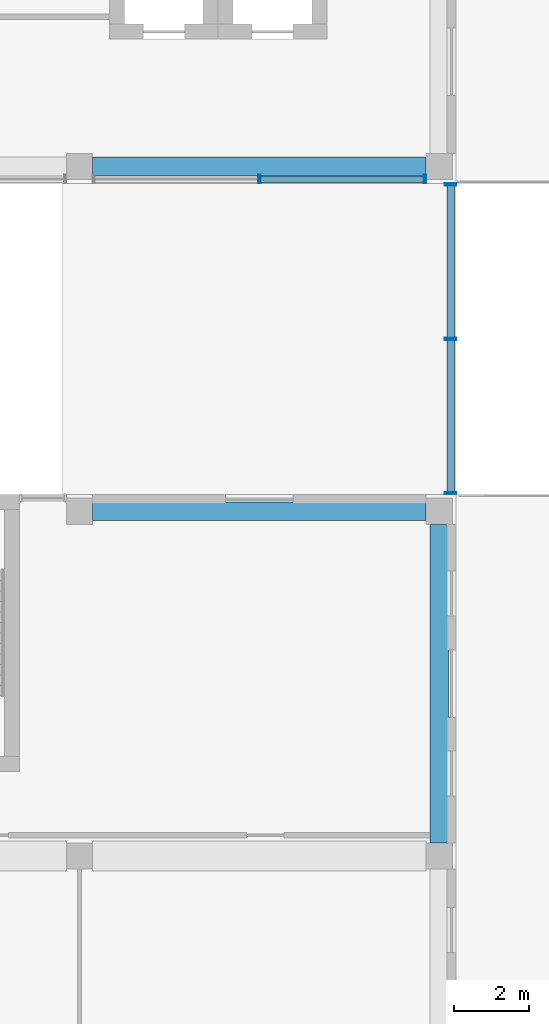
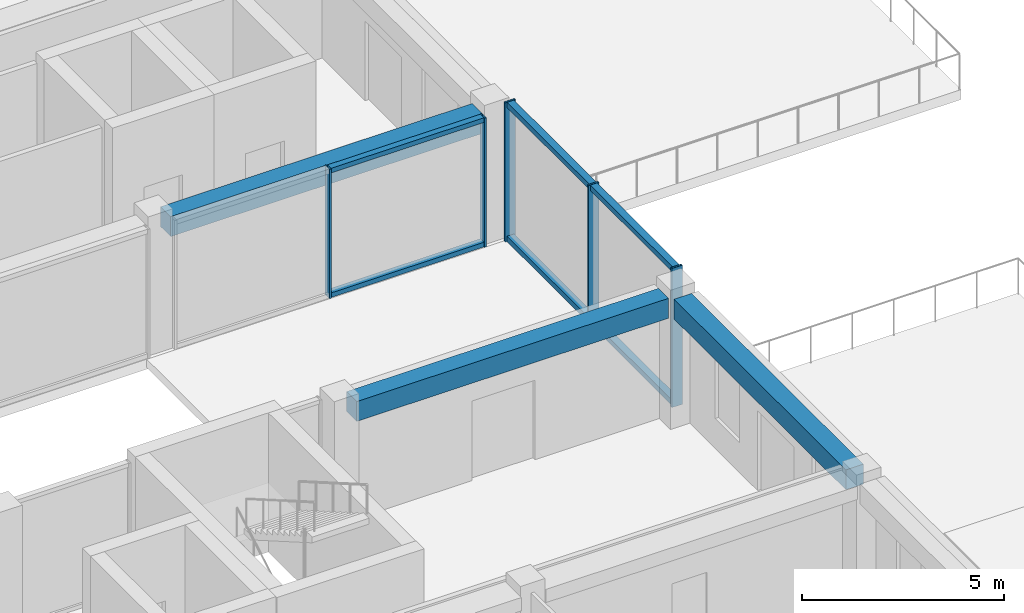
# One storey, part 12 of 27: 11 members, 3 beams, 2 elements without a shape of their own.
"""IFC4 building model written with IfcOpenShell, lengths in metres."""

from ifc_helpers import new_model, si_unit, direction, frame, origin, origin_2d, place, context, subcontext, project, spatial, rectangle, hollow_rectangle, extrude, material, layer, layer_set, material_profile, profile_set, type_object, element, aggregate, save


model = new_model("IFC4")

# Units and contexts
model_context = context("Model", 3, precision=1e-05, world=origin(), true_north=direction((0.0, 1.0)))
body_context = subcontext(model_context, "Body", "Model", "MODEL_VIEW")
ifc_project = project(units=[si_unit("LENGTHUNIT", "METRE"), si_unit("AREAUNIT", "SQUARE_METRE"), si_unit("VOLUMEUNIT", "CUBIC_METRE"), si_unit("PLANEANGLEUNIT", "RADIAN"), si_unit("MASSUNIT", "GRAM", prefix="KILO")], contexts=[model_context])

# Site, building, storey
site_placement = place(None, origin())
site = spatial("IfcSite", under=ifc_project, at=site_placement, CompositionType="ELEMENT")
building_placement = place(site_placement, origin())
building = spatial("IfcBuilding", under=site, at=building_placement, Name="Nzadi Deep Aquarium and Research Tower", CompositionType="ELEMENT")
storey_placement = place(building_placement, frame((0.0, 0.0, 69.699951171875)))
storey = spatial("IfcBuildingStorey", under=building, at=storey_placement, Name="L14", CompositionType="ELEMENT", Elevation=69.699951171875)

# Curtain wall, members
ifc_material_1 = material(Name="Aluminium unitised frame deep", Category="aluminium")
ifc_layer_1 = layer(ifc_material_1, 0.22509765625)
ifc_layer_set_1 = layer_set([ifc_layer_1], Name="Aluminium unitised frame deep")
curtain_wall_type_1 = type_object("IfcCurtainWallType", Name="Curtain wall Unitised Deep 225", PredefinedType="NOTDEFINED", material=ifc_layer_set_1)
curtain_wall_1_placement = place(storey_placement, origin())
curtain_wall_1 = element("IfcCurtainWall", 1, at=curtain_wall_1_placement, inside=storey, type_object=curtain_wall_type_1, Name="Unitised curtain wall blade B south L14", PredefinedType="NOTDEFINED")
ifc_material_2 = material(Name="Aluminium unitised frame deep", Category="aluminium")
ifc_material_profile_1 = material_profile(ifc_material_2, hollow_rectangle(XDim=0.22509765625, YDim=0.06005859375, WallThickness=0.0048828125, at=origin_2d()))
ifc_profile_set_1 = profile_set([ifc_material_profile_1], Name="Aluminium unitised frame deep")
member_type_1 = type_object("IfcMemberType", Name="Mullion 60x225 Unitised Deep", PredefinedType="MULLION", material=ifc_profile_set_1)
member_1_placement = place(storey_placement, frame((33.60009765625, 27.262451171875, 0.0), z_axis=(0.0, 0.0, 1.0), x_axis=(0.0, 1.0, 0.0)))
member_1 = element("IfcMember", 2, at=member_1_placement, type_object=member_type_1, Name="CW179 mullion 2", PredefinedType="MULLION", context=body_context, shape_type="SweptSolid", body=[
    extrude(hollow_rectangle(XDim=0.22509765625, YDim=0.06005859375, WallThickness=0.0048828125, at=origin_2d()), origin(), (0.0, 0.0, 1.0), 3.900146484375),
])
member_2_placement = place(storey_placement, frame((38.02001953125, 27.262451171875, 0.0), z_axis=(0.0, 0.0, 1.0), x_axis=(0.0, 1.0, 0.0)))
member_2 = element("IfcMember", 3, at=member_2_placement, type_object=member_type_1, Name="CW179 mullion 3", PredefinedType="MULLION", context=body_context, shape_type="SweptSolid", body=[
    extrude(hollow_rectangle(XDim=0.22509765625, YDim=0.06005859375, WallThickness=0.0048828125, at=origin_2d()), origin(), (0.0, 0.0, 1.0), 3.900146484375),
])

ifc_material_3 = material(Name="Aluminium unitised frame wind post", Category="aluminium")
ifc_layer_2 = layer(ifc_material_3, 0.300048828125)
ifc_layer_set_2 = layer_set([ifc_layer_2], Name="Aluminium unitised frame wind post")
curtain_wall_type_2 = type_object("IfcCurtainWallType", Name="Curtain wall Slot End 300", PredefinedType="NOTDEFINED", material=ifc_layer_set_2)
curtain_wall_2_placement = place(storey_placement, origin())
curtain_wall_2 = element("IfcCurtainWall", 4, at=curtain_wall_2_placement, inside=storey, type_object=curtain_wall_type_2, Name="Glazed slot end east L14", PredefinedType="NOTDEFINED")
ifc_material_4 = material(Name="Aluminium unitised frame wind post", Category="aluminium")
ifc_material_profile_2 = material_profile(ifc_material_4, hollow_rectangle(XDim=0.300048828125, YDim=0.06005859375, WallThickness=0.0048828125, at=origin_2d()))
ifc_profile_set_2 = profile_set([ifc_material_profile_2], Name="Aluminium unitised frame wind post")
member_type_2 = type_object("IfcMemberType", Name="Mullion 60x300 Slot End", PredefinedType="MULLION", material=ifc_profile_set_2)
member_3_placement = place(storey_placement, frame((38.699951171875, 18.8798828125, 0.0), z_axis=(0.0, 0.0, 1.0), x_axis=(-1.0, 0.0, 0.0)))
member_3 = element("IfcMember", 5, at=member_3_placement, type_object=member_type_2, Name="CW220 mullion 1", PredefinedType="MULLION", context=body_context, shape_type="SweptSolid", body=[
    extrude(hollow_rectangle(XDim=0.300048828125, YDim=0.06005859375, WallThickness=0.0048828125, at=origin_2d()), origin(), (0.0, 0.0, 1.0), 4.199951171875),
])
member_4_placement = place(storey_placement, frame((38.699951171875, 23.0, 0.0), z_axis=(0.0, 0.0, 1.0), x_axis=(-1.0, 0.0, 0.0)))
member_4 = element("IfcMember", 6, at=member_4_placement, type_object=member_type_2, Name="CW220 mullion 2", PredefinedType="MULLION", context=body_context, shape_type="SweptSolid", body=[
    extrude(hollow_rectangle(XDim=0.300048828125, YDim=0.06005859375, WallThickness=0.0048828125, at=origin_2d()), origin(), (0.0, 0.0, 1.0), 4.199951171875),
])
member_5_placement = place(storey_placement, frame((38.699951171875, 27.1201171875, 0.0), z_axis=(0.0, 0.0, 1.0), x_axis=(-1.0, 0.0, 0.0)))
member_5 = element("IfcMember", 7, at=member_5_placement, type_object=member_type_2, Name="CW220 mullion 3", PredefinedType="MULLION", context=body_context, shape_type="SweptSolid", body=[
    extrude(hollow_rectangle(XDim=0.300048828125, YDim=0.06005859375, WallThickness=0.0048828125, at=origin_2d()), origin(), (0.0, 0.0, 1.0), 4.199951171875),
])

# Beams
ifc_material_5 = material(Name="Concrete C35/45", Category="concrete")
ifc_material_profile_3 = material_profile(ifc_material_5, rectangle(XDim=0.5, YDim=0.60009765625, at=origin_2d()))
ifc_profile_set_3 = profile_set([ifc_material_profile_3], Name="Concrete C35/45")
beam_type = type_object("IfcBeamType", Name="RC 500x600", PredefinedType="BEAM", material=ifc_profile_set_3)
for number, where, z_axis, x_axis, name in (
    (8, (29.14990234375, 18.39990234375, 3.60009765625), (1.0, 0.0, 0.0), (0.0, 1.0, 0.0), "B-Z1-L14-L3-4"),
    (9, (29.14990234375, 27.60009765625, 3.60009765625), (1.0, 0.0, 0.0), (0.0, 1.0, 0.0), "B-Z1-L14-L4-4"),
):
    element("IfcBeam", number, at=place(storey_placement, frame(where, z_axis=z_axis, x_axis=x_axis)), inside=storey, type_object=beam_type, Name=name, PredefinedType="BEAM", context=body_context, shape_type="SweptSolid", body=[
        extrude(rectangle(XDim=0.5, YDim=0.60009765625, at=origin_2d()), origin(), (0.0, 0.0, 1.0), 8.900146484375),
    ])
beam_placement = place(storey_placement, frame((38.39990234375, 9.550048828125, 3.60009765625), z_axis=(0.0, 1.0, 0.0), x_axis=(-1.0, 0.0, 0.0)))
element("IfcBeam", 10, at=beam_placement, inside=storey, type_object=beam_type, Name="B-Z1-L14-CE-2-1", PredefinedType="BEAM", context=body_context, shape_type="SweptSolid", body=[
    extrude(rectangle(XDim=0.5, YDim=0.60009765625, at=origin_2d()), origin(), (0.0, 0.0, 1.0), 8.5),
])

# Member
ifc_material_6 = material(Name="Aluminium unitised frame deep", Category="aluminium")
ifc_material_profile_4 = material_profile(ifc_material_6, hollow_rectangle(XDim=0.179931640625, YDim=0.139892578125, WallThickness=0.0048828125, at=origin_2d()))
ifc_profile_set_4 = profile_set([ifc_material_profile_4], Name="Aluminium unitised frame deep")
member_type_3 = type_object("IfcMemberType", Name="Transom 140x180 Unitised Deep", PredefinedType="MULLION", material=ifc_profile_set_4)
member_6_placement = place(storey_placement, frame((33.6298828125, 27.262451171875, 0.070068359375), z_axis=(1.0, 0.0, 0.0), x_axis=(0.0, 1.0, 0.0)))
member_6 = element("IfcMember", 11, at=member_6_placement, type_object=member_type_3, Name="CW179 transom 2.1", PredefinedType="MULLION", context=body_context, shape_type="SweptSolid", body=[
    extrude(hollow_rectangle(XDim=0.179931640625, YDim=0.139892578125, WallThickness=0.0048828125, at=origin_2d()), origin(), (0.0, 0.0, 1.0), 4.360107421875),
])

member_7_placement = place(storey_placement, frame((33.6298828125, 27.262451171875, 3.830078125), z_axis=(1.0, 0.0, 0.0), x_axis=(0.0, 1.0, 0.0)))
member_7 = element("IfcMember", 12, at=member_7_placement, type_object=member_type_3, Name="CW179 transom 2.2", PredefinedType="MULLION", context=body_context, shape_type="SweptSolid", body=[
    extrude(hollow_rectangle(XDim=0.179931640625, YDim=0.139892578125, WallThickness=0.0048828125, at=origin_2d()), origin(), (0.0, 0.0, 1.0), 4.360107421875),
])

aggregate(curtain_wall_1, [member_1, member_2, member_6, member_7])

ifc_material_7 = material(Name="Aluminium unitised frame wind post", Category="aluminium")
ifc_material_profile_5 = material_profile(ifc_material_7, hollow_rectangle(XDim=0.199951171875, YDim=0.159912109375, WallThickness=0.0048828125, at=origin_2d()))
ifc_profile_set_5 = profile_set([ifc_material_profile_5], Name="Aluminium unitised frame wind post")
member_type_4 = type_object("IfcMemberType", Name="Transom 160x200 Slot End", PredefinedType="MULLION", material=ifc_profile_set_5)
member_8_placement = place(storey_placement, frame((38.699951171875, 18.909912109375, 0.080078125), z_axis=(0.0, 1.0, 0.0), x_axis=(-1.0, 0.0, 0.0)))
member_8 = element("IfcMember", 13, at=member_8_placement, type_object=member_type_4, Name="CW220 transom 1.1", PredefinedType="MULLION", context=body_context, shape_type="SweptSolid", body=[
    extrude(hollow_rectangle(XDim=0.199951171875, YDim=0.159912109375, WallThickness=0.0048828125, at=origin_2d()), origin(), (0.0, 0.0, 1.0), 4.06005859375),
])

member_9_placement = place(storey_placement, frame((38.699951171875, 18.909912109375, 4.1201171875), z_axis=(0.0, 1.0, 0.0), x_axis=(-1.0, 0.0, 0.0)))
member_9 = element("IfcMember", 14, at=member_9_placement, type_object=member_type_4, Name="CW220 transom 1.2", PredefinedType="MULLION", context=body_context, shape_type="SweptSolid", body=[
    extrude(hollow_rectangle(XDim=0.199951171875, YDim=0.159912109375, WallThickness=0.0048828125, at=origin_2d()), origin(), (0.0, 0.0, 1.0), 4.06005859375),
])

member_10_placement = place(storey_placement, frame((38.699951171875, 23.030029296875, 0.080078125), z_axis=(0.0, 1.0, 0.0), x_axis=(-1.0, 0.0, 0.0)))
member_10 = element("IfcMember", 15, at=member_10_placement, type_object=member_type_4, Name="CW220 transom 2.1", PredefinedType="MULLION", context=body_context, shape_type="SweptSolid", body=[
    extrude(hollow_rectangle(XDim=0.199951171875, YDim=0.159912109375, WallThickness=0.0048828125, at=origin_2d()), origin(), (0.0, 0.0, 1.0), 4.06005859375),
])

member_11_placement = place(storey_placement, frame((38.699951171875, 23.030029296875, 4.1201171875), z_axis=(0.0, 1.0, 0.0), x_axis=(-1.0, 0.0, 0.0)))
member_11 = element("IfcMember", 16, at=member_11_placement, type_object=member_type_4, Name="CW220 transom 2.2", PredefinedType="MULLION", context=body_context, shape_type="SweptSolid", body=[
    extrude(hollow_rectangle(XDim=0.199951171875, YDim=0.159912109375, WallThickness=0.0048828125, at=origin_2d()), origin(), (0.0, 0.0, 1.0), 4.06005859375),
])

aggregate(curtain_wall_2, [member_3, member_4, member_5, member_8, member_9, member_10, member_11])

save(model, "model.ifc")
